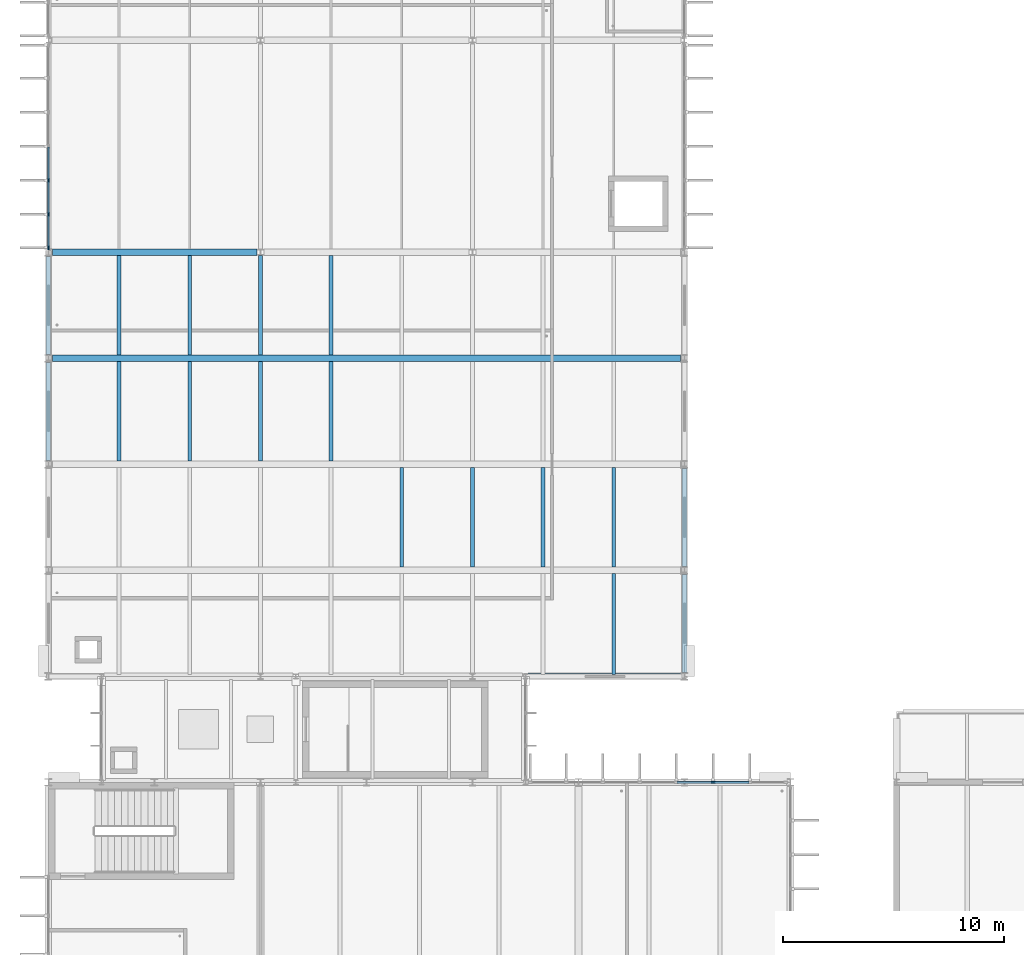
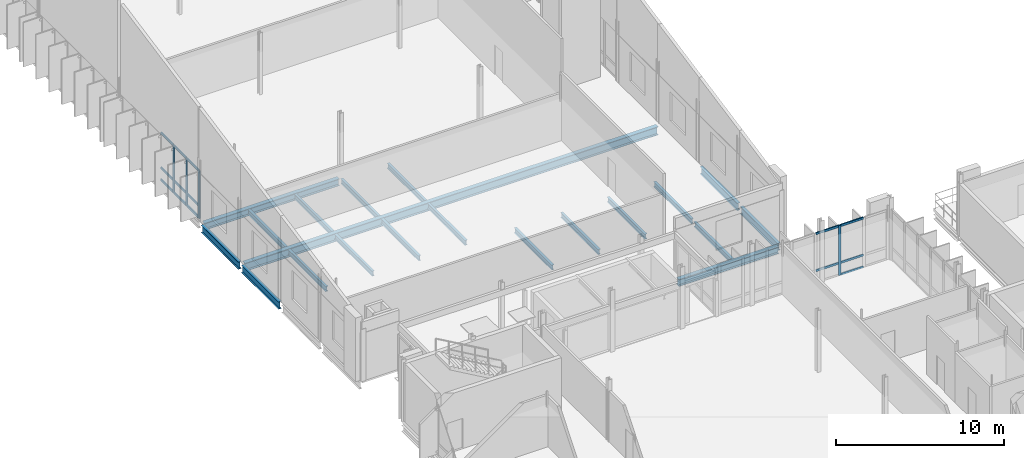
# One storey, part 24 of 93: 20 beams, 18 members, 2 elements without a shape of their own.
"""IFC4 building model written with IfcOpenShell, lengths in metres."""

from ifc_helpers import new_model, si_unit, direction, frame, origin, origin_2d, place, context, subcontext, project, spatial, rectangle, i_section, extrude, material, material_profile, profile_set, type_object, element, aggregate, save


model = new_model("IFC4")

# Units and contexts
model_context = context("Model", 3, precision=1e-05, world=origin(), true_north=direction((0.0, 1.0)))
body_context = subcontext(model_context, "Body", "Model", "MODEL_VIEW")
ifc_project = project(units=[si_unit("LENGTHUNIT", "METRE"), si_unit("AREAUNIT", "SQUARE_METRE"), si_unit("VOLUMEUNIT", "CUBIC_METRE"), si_unit("PLANEANGLEUNIT", "RADIAN"), si_unit("MASSUNIT", "GRAM", prefix="KILO")], contexts=[model_context])

# Site, building, storey
site_placement = place(None, origin())
site = spatial("IfcSite", under=ifc_project, at=site_placement, CompositionType="ELEMENT")
building_placement = place(site_placement, origin())
building = spatial("IfcBuilding", under=site, at=building_placement, Name="Dunescarp Central Library", CompositionType="ELEMENT")
storey_placement = place(building_placement, frame((0.0, 0.0, 14.10009765625)))
storey = spatial("IfcBuildingStorey", under=building, at=storey_placement, Name="L03", CompositionType="ELEMENT", Elevation=14.10009765625)

# Curtain wall, member
ifc_material_1 = material(Name="Marine-grade anodised aluminium 6063-T6", Category="aluminium")
curtain_wall_type = type_object("IfcCurtainWallType", Name="ARC-CW-STICK", PredefinedType="NOTDEFINED", material=ifc_material_1)
curtain_wall_1_placement = place(storey_placement, origin())
curtain_wall_1 = element("IfcCurtainWall", 1, at=curtain_wall_1_placement, inside=storey, type_object=curtain_wall_type, Name="L03 curtain wall CW-V1-020", PredefinedType="NOTDEFINED")
ifc_material_profile_1 = material_profile(ifc_material_1, rectangle(XDim=0.080078125, YDim=0.179931640625, at=origin_2d()), Name="AL 80x180")
ifc_profile_set_1 = profile_set([ifc_material_profile_1], Name="Marine-grade anodised aluminium 6063-T6")
member_type_1 = type_object("IfcMemberType", Name="ARC-CWM-180", PredefinedType="MULLION", material=ifc_profile_set_1)
member_1_placement = place(storey_placement, frame((30.096435546875, 36.800048828125, 0.0), z_axis=(0.0, 0.0, 1.0), x_axis=(0.0, 1.0, 0.0)))
member_1 = element("IfcMember", 2, at=member_1_placement, type_object=member_type_1, Name="CW-V1-020 mullion 6", PredefinedType="MULLION", context=body_context, shape_type="SweptSolid", body=[
    extrude(rectangle(XDim=0.080078125, YDim=0.179931640625, at=origin_2d()), origin(), (0.0, 0.0, 1.0), 3.625),
])

# Curtain wall, members
curtain_wall_2_placement = place(storey_placement, origin())
curtain_wall_2 = element("IfcCurtainWall", 3, at=curtain_wall_2_placement, inside=storey, type_object=curtain_wall_type, Name="L03 curtain wall CW-V4-130", PredefinedType="NOTDEFINED")
member_2_placement = place(storey_placement, frame((0.0, 61.014892578125, 0.0), z_axis=(0.0, 0.0, 1.0), x_axis=(-1.0, 0.0, 0.0)))
member_2 = element("IfcMember", 4, at=member_2_placement, type_object=member_type_1, Name="CW-V4-130 mullion 1", PredefinedType="MULLION", context=body_context, shape_type="SweptSolid", body=[
    extrude(rectangle(XDim=0.080078125, YDim=0.179931640625, at=origin_2d()), origin(), (0.0, 0.0, 1.0), 3.48193359375),
])
member_3_placement = place(storey_placement, frame((0.0, 62.5166015625, 0.0), z_axis=(0.0, 0.0, 1.0), x_axis=(-1.0, 0.0, 0.0)))
member_3 = element("IfcMember", 5, at=member_3_placement, type_object=member_type_1, Name="CW-V4-130 mullion 2", PredefinedType="MULLION", context=body_context, shape_type="SweptSolid", body=[
    extrude(rectangle(XDim=0.080078125, YDim=0.179931640625, at=origin_2d()), origin(), (0.0, 0.0, 1.0), 3.48193359375),
])
member_4_placement = place(storey_placement, frame((0.0, 64.058349609375, 0.0), z_axis=(0.0, 0.0, 1.0), x_axis=(-1.0, 0.0, 0.0)))
member_4 = element("IfcMember", 6, at=member_4_placement, type_object=member_type_1, Name="CW-V4-130 mullion 3", PredefinedType="MULLION", context=body_context, shape_type="SweptSolid", body=[
    extrude(rectangle(XDim=0.080078125, YDim=0.179931640625, at=origin_2d()), origin(), (0.0, 0.0, 1.0), 3.48193359375),
])

# Member
ifc_material_profile_2 = material_profile(ifc_material_1, rectangle(XDim=0.080078125, YDim=0.14990234375, at=origin_2d()), Name="AL 80x150")
ifc_profile_set_2 = profile_set([ifc_material_profile_2], Name="Marine-grade anodised aluminium 6063-T6")
member_type_2 = type_object("IfcMemberType", Name="ARC-CWT-150", PredefinedType="USERDEFINED", material=ifc_profile_set_2)
member_5_placement = place(storey_placement, frame((28.47216796875, 36.800048828125, 0.89990234375), z_axis=(1.0, 0.0, 0.0), x_axis=(0.0, 1.0, 0.0)))
member_5 = element("IfcMember", 7, at=member_5_placement, type_object=member_type_2, Name="CW-V1-020 transom 5.2", ObjectType="TRANSOM", PredefinedType="USERDEFINED", context=body_context, shape_type="SweptSolid", body=[
    extrude(rectangle(XDim=0.080078125, YDim=0.14990234375, at=origin_2d()), origin(), (0.0, 0.0, 1.0), 1.584228515625),
])

member_6_placement = place(storey_placement, frame((28.47216796875, 36.800048828125, 3.5849609375), z_axis=(1.0, 0.0, 0.0), x_axis=(0.0, 1.0, 0.0)))
member_6 = element("IfcMember", 8, at=member_6_placement, type_object=member_type_2, Name="CW-V1-020 transom 5.3", ObjectType="TRANSOM", PredefinedType="USERDEFINED", context=body_context, shape_type="SweptSolid", body=[
    extrude(rectangle(XDim=0.080078125, YDim=0.14990234375, at=origin_2d()), origin(), (0.0, 0.0, 1.0), 1.584228515625),
])

member_7_placement = place(storey_placement, frame((30.136474609375, 36.800048828125, 0.039794921875), z_axis=(1.0, 0.0, 0.0), x_axis=(0.0, 1.0, 0.0)))
member_7 = element("IfcMember", 9, at=member_7_placement, type_object=member_type_2, Name="CW-V1-020 transom 6.1", ObjectType="TRANSOM", PredefinedType="USERDEFINED", context=body_context, shape_type="SweptSolid", body=[
    extrude(rectangle(XDim=0.080078125, YDim=0.14990234375, at=origin_2d()), origin(), (0.0, 0.0, 1.0), 1.584228515625),
])

member_8_placement = place(storey_placement, frame((30.136474609375, 36.800048828125, 0.89990234375), z_axis=(1.0, 0.0, 0.0), x_axis=(0.0, 1.0, 0.0)))
member_8 = element("IfcMember", 10, at=member_8_placement, type_object=member_type_2, Name="CW-V1-020 transom 6.2", ObjectType="TRANSOM", PredefinedType="USERDEFINED", context=body_context, shape_type="SweptSolid", body=[
    extrude(rectangle(XDim=0.080078125, YDim=0.14990234375, at=origin_2d()), origin(), (0.0, 0.0, 1.0), 1.584228515625),
])

member_9_placement = place(storey_placement, frame((30.136474609375, 36.800048828125, 3.5849609375), z_axis=(1.0, 0.0, 0.0), x_axis=(0.0, 1.0, 0.0)))
member_9 = element("IfcMember", 11, at=member_9_placement, type_object=member_type_2, Name="CW-V1-020 transom 6.3", ObjectType="TRANSOM", PredefinedType="USERDEFINED", context=body_context, shape_type="SweptSolid", body=[
    extrude(rectangle(XDim=0.080078125, YDim=0.14990234375, at=origin_2d()), origin(), (0.0, 0.0, 1.0), 1.584228515625),
])

aggregate(curtain_wall_1, [member_1, member_5, member_6, member_7, member_8, member_9])

member_10_placement = place(storey_placement, frame((0.0, 61.054931640625, 0.039794921875), z_axis=(0.0, 1.0, 0.0), x_axis=(-1.0, 0.0, 0.0)))
member_10 = element("IfcMember", 12, at=member_10_placement, type_object=member_type_2, Name="CW-V4-130 transom 1.1", ObjectType="TRANSOM", PredefinedType="USERDEFINED", context=body_context, shape_type="SweptSolid", body=[
    extrude(rectangle(XDim=0.080078125, YDim=0.14990234375, at=origin_2d()), origin(), (0.0, 0.0, 1.0), 1.421630859375),
])

member_11_placement = place(storey_placement, frame((0.0, 61.054931640625, 0.89990234375), z_axis=(0.0, 1.0, 0.0), x_axis=(-1.0, 0.0, 0.0)))
member_11 = element("IfcMember", 13, at=member_11_placement, type_object=member_type_2, Name="CW-V4-130 transom 1.2", ObjectType="TRANSOM", PredefinedType="USERDEFINED", context=body_context, shape_type="SweptSolid", body=[
    extrude(rectangle(XDim=0.080078125, YDim=0.14990234375, at=origin_2d()), origin(), (0.0, 0.0, 1.0), 1.421630859375),
])

member_12_placement = place(storey_placement, frame((0.0, 61.054931640625, 3.44189453125), z_axis=(0.0, 1.0, 0.0), x_axis=(-1.0, 0.0, 0.0)))
member_12 = element("IfcMember", 14, at=member_12_placement, type_object=member_type_2, Name="CW-V4-130 transom 1.3", ObjectType="TRANSOM", PredefinedType="USERDEFINED", context=body_context, shape_type="SweptSolid", body=[
    extrude(rectangle(XDim=0.080078125, YDim=0.14990234375, at=origin_2d()), origin(), (0.0, 0.0, 1.0), 1.421630859375),
])

member_13_placement = place(storey_placement, frame((0.0, 62.556640625, 0.039794921875), z_axis=(0.0, 1.0, 0.0), x_axis=(-1.0, 0.0, 0.0)))
member_13 = element("IfcMember", 15, at=member_13_placement, type_object=member_type_2, Name="CW-V4-130 transom 2.1", ObjectType="TRANSOM", PredefinedType="USERDEFINED", context=body_context, shape_type="SweptSolid", body=[
    extrude(rectangle(XDim=0.080078125, YDim=0.14990234375, at=origin_2d()), origin(), (0.0, 0.0, 1.0), 1.461669921875),
])

member_14_placement = place(storey_placement, frame((0.0, 62.556640625, 0.89990234375), z_axis=(0.0, 1.0, 0.0), x_axis=(-1.0, 0.0, 0.0)))
member_14 = element("IfcMember", 16, at=member_14_placement, type_object=member_type_2, Name="CW-V4-130 transom 2.2", ObjectType="TRANSOM", PredefinedType="USERDEFINED", context=body_context, shape_type="SweptSolid", body=[
    extrude(rectangle(XDim=0.080078125, YDim=0.14990234375, at=origin_2d()), origin(), (0.0, 0.0, 1.0), 1.461669921875),
])

member_15_placement = place(storey_placement, frame((0.0, 62.556640625, 3.44189453125), z_axis=(0.0, 1.0, 0.0), x_axis=(-1.0, 0.0, 0.0)))
member_15 = element("IfcMember", 17, at=member_15_placement, type_object=member_type_2, Name="CW-V4-130 transom 2.3", ObjectType="TRANSOM", PredefinedType="USERDEFINED", context=body_context, shape_type="SweptSolid", body=[
    extrude(rectangle(XDim=0.080078125, YDim=0.14990234375, at=origin_2d()), origin(), (0.0, 0.0, 1.0), 1.461669921875),
])

member_16_placement = place(storey_placement, frame((0.0, 64.098388671875, 0.039794921875), z_axis=(0.0, 1.0, 0.0), x_axis=(-1.0, 0.0, 0.0)))
member_16 = element("IfcMember", 18, at=member_16_placement, type_object=member_type_2, Name="CW-V4-130 transom 3.1", ObjectType="TRANSOM", PredefinedType="USERDEFINED", context=body_context, shape_type="SweptSolid", body=[
    extrude(rectangle(XDim=0.080078125, YDim=0.14990234375, at=origin_2d()), origin(), (0.0, 0.0, 1.0), 1.461669921875),
])

member_17_placement = place(storey_placement, frame((0.0, 64.098388671875, 0.89990234375), z_axis=(0.0, 1.0, 0.0), x_axis=(-1.0, 0.0, 0.0)))
member_17 = element("IfcMember", 19, at=member_17_placement, type_object=member_type_2, Name="CW-V4-130 transom 3.2", ObjectType="TRANSOM", PredefinedType="USERDEFINED", context=body_context, shape_type="SweptSolid", body=[
    extrude(rectangle(XDim=0.080078125, YDim=0.14990234375, at=origin_2d()), origin(), (0.0, 0.0, 1.0), 1.461669921875),
])

member_18_placement = place(storey_placement, frame((0.0, 64.098388671875, 3.44189453125), z_axis=(0.0, 1.0, 0.0), x_axis=(-1.0, 0.0, 0.0)))
member_18 = element("IfcMember", 20, at=member_18_placement, type_object=member_type_2, Name="CW-V4-130 transom 3.3", ObjectType="TRANSOM", PredefinedType="USERDEFINED", context=body_context, shape_type="SweptSolid", body=[
    extrude(rectangle(XDim=0.080078125, YDim=0.14990234375, at=origin_2d()), origin(), (0.0, 0.0, 1.0), 1.461669921875),
])

aggregate(curtain_wall_2, [member_2, member_3, member_4, member_10, member_11, member_12, member_13, member_14, member_15, member_16, member_17, member_18])

# Beams
ifc_material_2 = material(Name="Steel S355JR", Category="steel")
ifc_material_profile_3 = material_profile(ifc_material_2, i_section(OverallWidth=0.300048828125, OverallDepth=0.5, WebThickness=0.014404296875, FlangeThickness=0.028076171875, at=origin_2d()), Name="HEB 500")
ifc_profile_set_3 = profile_set([ifc_material_profile_3], Name="Steel S355JR")
beam_type_1 = type_object("IfcBeamType", Name="STR-BM-HEB500", PredefinedType="BEAM", material=ifc_profile_set_3)
beam_1_placement = place(storey_placement, frame((0.181884765625, 60.800048828125, -0.489990234375), z_axis=(1.0, 0.0, 0.0), x_axis=(0.0, 1.0, 0.0)))
element("IfcBeam", 21, at=beam_1_placement, inside=storey, type_object=beam_type_1, Name="L03 girder BM-L03-1029", PredefinedType="BEAM", context=body_context, shape_type="SweptSolid", body=[
    extrude(i_section(OverallWidth=0.300048828125, OverallDepth=0.5, WebThickness=0.014404296875, FlangeThickness=0.028076171875, at=origin_2d()), origin(), (0.0, 0.0, 1.0), 9.26513671875),
])
beam_2_placement = place(storey_placement, frame((21.72509765625, 41.60009765625, -0.489990234375), z_axis=(1.0, 0.0, 0.0), x_axis=(0.0, 1.0, 0.0)))
element("IfcBeam", 22, at=beam_2_placement, inside=storey, type_object=beam_type_1, Name="L03 girder BM-L03-1389", PredefinedType="BEAM", context=body_context, shape_type="SweptSolid", body=[
    extrude(i_section(OverallWidth=0.300048828125, OverallDepth=0.5, WebThickness=0.014404296875, FlangeThickness=0.028076171875, at=origin_2d()), origin(), (0.0, 0.0, 1.0), 6.892822265625),
])
ifc_material_3 = material(Name="Steel S355J0", Category="steel")
ifc_material_profile_4 = material_profile(ifc_material_3, i_section(OverallWidth=0.300048828125, OverallDepth=0.60009765625, WebThickness=0.015380859375, FlangeThickness=0.030029296875, at=origin_2d()), Name="HEB 600")
ifc_profile_set_4 = profile_set([ifc_material_profile_4], Name="Steel S355J0")
beam_type_2 = type_object("IfcBeamType", Name="STR-BM-HEB600", PredefinedType="BEAM", material=ifc_profile_set_4)
beam_3_placement = place(storey_placement, frame((0.181884765625, 56.0, -0.5400390625), z_axis=(1.0, 0.0, 0.0), x_axis=(0.0, 1.0, 0.0)))
element("IfcBeam", 23, at=beam_3_placement, inside=storey, type_object=beam_type_2, Name="Transfer truss TT-V4-3 top chord", PredefinedType="BEAM", context=body_context, shape_type="SweptSolid", body=[
    extrude(i_section(OverallWidth=0.300048828125, OverallDepth=0.60009765625, WebThickness=0.015380859375, FlangeThickness=0.030029296875, at=origin_2d()), origin(), (0.0, 0.0, 1.0), 28.43603515625),
])
ifc_material_profile_5 = material_profile(ifc_material_2, i_section(OverallWidth=0.209228515625, OverallDepth=0.533203125, WebThickness=0.010009765625, FlangeThickness=0.015625, at=origin_2d()), Name="UB 533x210x92")
ifc_profile_set_5 = profile_set([ifc_material_profile_5], Name="Steel S355JR")
beam_type_3 = type_object("IfcBeamType", Name="STR-BM-UB533", PredefinedType="BEAM", material=ifc_profile_set_5)
for number, where, z_axis, x_axis, name in (
    (24, (0.0, 51.3779296875, -0.506103515625), (0.0, 1.0, 0.0), (-1.0, 0.0, 0.0), "L03 edge girder BM-L03-1392"),
    (25, (0.0, 56.177978515625, -0.506103515625), (0.0, 1.0, 0.0), (-1.0, 0.0, 0.0), "L03 edge girder BM-L03-1393"),
):
    element("IfcBeam", number, at=place(storey_placement, frame(where, z_axis=z_axis, x_axis=x_axis)), inside=storey, type_object=beam_type_3, Name=name, PredefinedType="BEAM", context=body_context, shape_type="SweptSolid", body=[
        extrude(i_section(OverallWidth=0.209228515625, OverallDepth=0.533203125, WebThickness=0.010009765625, FlangeThickness=0.015625, at=origin_2d()), origin(), (0.0, 0.0, 1.0), 4.444091796875),
    ])
beam_4_placement = place(storey_placement, frame((28.800048828125, 41.778076171875, -0.506103515625), z_axis=(0.0, 1.0, 0.0), x_axis=(-1.0, 0.0, 0.0)))
element("IfcBeam", 26, at=beam_4_placement, inside=storey, type_object=beam_type_3, Name="L03 edge girder BM-L03-1394", PredefinedType="BEAM", context=body_context, shape_type="SweptSolid", body=[
    extrude(i_section(OverallWidth=0.209228515625, OverallDepth=0.533203125, WebThickness=0.010009765625, FlangeThickness=0.015625, at=origin_2d()), origin(), (0.0, 0.0, 1.0), 4.44384765625),
])
beam_5_placement = place(storey_placement, frame((28.800048828125, 46.577880859375, -0.506103515625), z_axis=(0.0, 1.0, 0.0), x_axis=(-1.0, 0.0, 0.0)))
element("IfcBeam", 27, at=beam_5_placement, inside=storey, type_object=beam_type_3, Name="L03 edge girder BM-L03-1395", PredefinedType="BEAM", context=body_context, shape_type="SweptSolid", body=[
    extrude(i_section(OverallWidth=0.209228515625, OverallDepth=0.533203125, WebThickness=0.010009765625, FlangeThickness=0.015625, at=origin_2d()), origin(), (0.0, 0.0, 1.0), 4.444091796875),
])
ifc_material_profile_6 = material_profile(ifc_material_2, i_section(OverallWidth=0.169921875, OverallDepth=0.360107421875, WebThickness=0.008056640625, FlangeThickness=0.0126953125, at=origin_2d()), Name="IPE 360")
ifc_profile_set_6 = profile_set([ifc_material_profile_6], Name="Steel S355JR")
beam_type_4 = type_object("IfcBeamType", Name="STR-JS-IPE360", PredefinedType="JOIST", material=ifc_profile_set_6)
beam_6_placement = place(storey_placement, frame((25.60009765625, 41.68505859375, -0.420166015625), z_axis=(0.0, 1.0, 0.0), x_axis=(-1.0, 0.0, 0.0)))
element("IfcBeam", 28, at=beam_6_placement, inside=storey, type_object=beam_type_4, Name="L03 joist JS-L03-1405", PredefinedType="JOIST", context=body_context, shape_type="SweptSolid", body=[
    extrude(i_section(OverallWidth=0.169921875, OverallDepth=0.360107421875, WebThickness=0.008056640625, FlangeThickness=0.0126953125, at=origin_2d()), origin(), (0.0, 0.0, 1.0), 4.56689453125),
])
for number, where, z_axis, x_axis, name in (
    (29, (16.0, 46.548095703125, -0.420166015625), (0.0, 1.0, 0.0), (-1.0, 0.0, 0.0), "L03 joist JS-L03-1410"),
    (30, (19.199951171875, 46.548095703125, -0.420166015625), (0.0, 1.0, 0.0), (-1.0, 0.0, 0.0), "L03 joist JS-L03-1411"),
    (31, (22.39990234375, 46.548095703125, -0.420166015625), (0.0, 1.0, 0.0), (-1.0, 0.0, 0.0), "L03 joist JS-L03-1412"),
    (32, (25.60009765625, 46.548095703125, -0.420166015625), (0.0, 1.0, 0.0), (-1.0, 0.0, 0.0), "L03 joist JS-L03-1413"),
):
    element("IfcBeam", number, at=place(storey_placement, frame(where, z_axis=z_axis, x_axis=x_axis)), inside=storey, type_object=beam_type_4, Name=name, PredefinedType="JOIST", context=body_context, shape_type="SweptSolid", body=[
        extrude(i_section(OverallWidth=0.169921875, OverallDepth=0.360107421875, WebThickness=0.008056640625, FlangeThickness=0.0126953125, at=origin_2d()), origin(), (0.0, 0.0, 1.0), 4.50390625),
    ])
for number, where, z_axis, x_axis, name in (
    (33, (3.199951171875, 51.347900390625, -0.420166015625), (0.0, 1.0, 0.0), (-1.0, 0.0, 0.0), "L03 joist JS-L03-1414"),
    (34, (6.39990234375, 51.347900390625, -0.420166015625), (0.0, 1.0, 0.0), (-1.0, 0.0, 0.0), "L03 joist JS-L03-1415"),
    (35, (9.60009765625, 51.347900390625, -0.420166015625), (0.0, 1.0, 0.0), (-1.0, 0.0, 0.0), "L03 joist JS-L03-1416"),
    (36, (12.800048828125, 51.347900390625, -0.420166015625), (0.0, 1.0, 0.0), (-1.0, 0.0, 0.0), "L03 joist JS-L03-1417"),
    (37, (3.199951171875, 56.14794921875, -0.420166015625), (0.0, 1.0, 0.0), (-1.0, 0.0, 0.0), "L03 joist JS-L03-1422"),
    (38, (6.39990234375, 56.14794921875, -0.420166015625), (0.0, 1.0, 0.0), (-1.0, 0.0, 0.0), "L03 joist JS-L03-1423"),
    (39, (9.60009765625, 56.14794921875, -0.420166015625), (0.0, 1.0, 0.0), (-1.0, 0.0, 0.0), "L03 joist JS-L03-1424"),
    (40, (12.800048828125, 56.14794921875, -0.420166015625), (0.0, 1.0, 0.0), (-1.0, 0.0, 0.0), "L03 joist JS-L03-1425"),
):
    element("IfcBeam", number, at=place(storey_placement, frame(where, z_axis=z_axis, x_axis=x_axis)), inside=storey, type_object=beam_type_4, Name=name, PredefinedType="JOIST", context=body_context, shape_type="SweptSolid", body=[
        extrude(i_section(OverallWidth=0.169921875, OverallDepth=0.360107421875, WebThickness=0.008056640625, FlangeThickness=0.0126953125, at=origin_2d()), origin(), (0.0, 0.0, 1.0), 4.504150390625),
    ])

save(model, "model.ifc")
